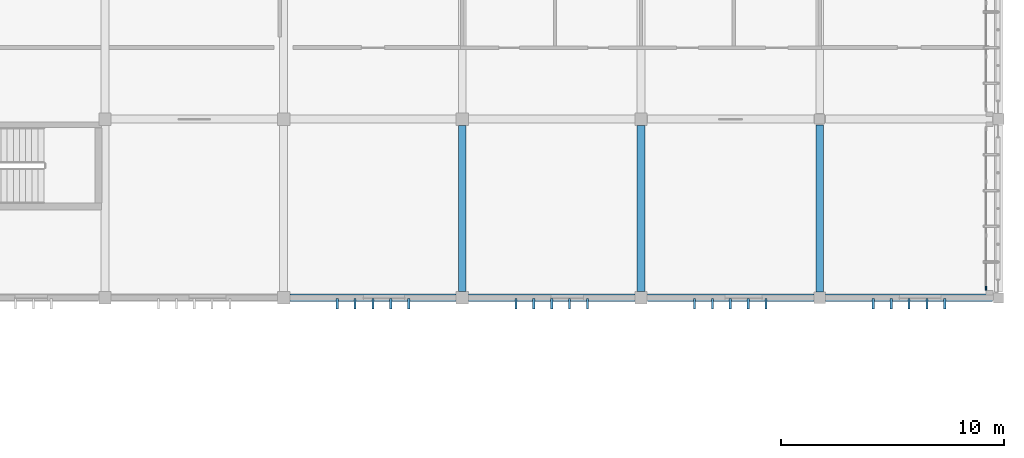
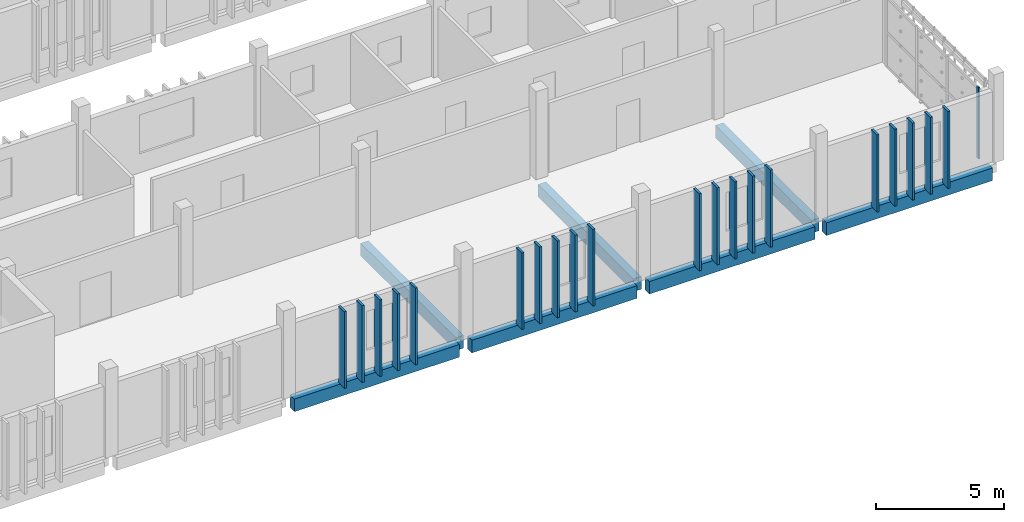
# One storey, part 19 of 48: 21 members, 7 beams, 1 element without a shape of its own.
"""IFC4 building model written with IfcOpenShell, lengths in metres."""

from ifc_helpers import new_model, si_unit, direction, frame, origin, origin_2d, place, context, subcontext, project, spatial, rectangle, extrude, material, layer, layer_set, material_profile, profile_set, type_object, element, aggregate, save


model = new_model("IFC4")

# Units and contexts
model_context = context("Model", 3, precision=1e-05, world=origin(), true_north=direction((0.0, 1.0)))
body_context = subcontext(model_context, "Body", "Model", "MODEL_VIEW")
ifc_project = project(units=[si_unit("LENGTHUNIT", "METRE"), si_unit("AREAUNIT", "SQUARE_METRE"), si_unit("VOLUMEUNIT", "CUBIC_METRE"), si_unit("PLANEANGLEUNIT", "RADIAN"), si_unit("MASSUNIT", "GRAM", prefix="KILO")], contexts=[model_context])

# Site, building, storey
site_placement = place(None, origin())
site = spatial("IfcSite", under=ifc_project, at=site_placement, CompositionType="ELEMENT")
building_placement = place(site_placement, origin())
building = spatial("IfcBuilding", under=site, at=building_placement, Name="Jelvoka-Kovrelna Polytechnic", CompositionType="ELEMENT")
storey_placement = place(building_placement, frame((0.0, 0.0, 22.199951171875)))
storey = spatial("IfcBuildingStorey", under=building, at=storey_placement, Name="L06", CompositionType="ELEMENT", Elevation=22.199951171875)

# Beams
ifc_material_1 = material(Name="Concrete C35/45", Category="concrete")
ifc_material_profile_1 = material_profile(ifc_material_1, rectangle(XDim=0.35009765625, YDim=0.60009765625, at=origin_2d()), Name="RC 350x600")
ifc_profile_set_1 = profile_set([ifc_material_profile_1], Name="Concrete C35/45")
beam_type_1 = type_object("IfcBeamType", Name="Beam_RC_350x600", PredefinedType="BEAM", material=ifc_profile_set_1)
for number, where, z_axis, x_axis, name in (
    (1, (176.0, 32.280029296875, -0.5400390625), (0.0, 1.0, 0.0), (-1.0, 0.0, 0.0), "L06 beam 1690"),
    (2, (184.0, 32.280029296875, -0.5400390625), (0.0, 1.0, 0.0), (-1.0, 0.0, 0.0), "L06 beam 1692"),
):
    element("IfcBeam", number, at=place(storey_placement, frame(where, z_axis=z_axis, x_axis=x_axis)), inside=storey, type_object=beam_type_1, Name=name, PredefinedType="BEAM", context=body_context, shape_type="SweptSolid", body=[
        extrude(rectangle(XDim=0.35009765625, YDim=0.60009765625, at=origin_2d()), origin(), (0.0, 0.0, 1.0), 7.43994140625),
    ])
beam_1_placement = place(storey_placement, frame((192.0, 32.2548828125, -0.5400390625), z_axis=(0.0, 1.0, 0.0), x_axis=(-1.0, 0.0, 0.0)))
element("IfcBeam", 3, at=beam_1_placement, inside=storey, type_object=beam_type_1, Name="L06 beam 1694", PredefinedType="BEAM", context=body_context, shape_type="SweptSolid", body=[
    extrude(rectangle(XDim=0.35009765625, YDim=0.60009765625, at=origin_2d()), origin(), (0.0, 0.0, 1.0), 7.490234375),
])

# Members
ifc_material_2 = material(Name="Precast concrete C40/50", Category="concrete")
ifc_material_profile_2 = material_profile(ifc_material_2, rectangle(XDim=0.10009765625, YDim=0.449951171875, at=origin_2d()), Name="PC 100x450")
ifc_profile_set_2 = profile_set([ifc_material_profile_2], Name="Precast concrete C40/50")
member_type_1 = type_object("IfcMemberType", Name="Louvre_Fin_100x450", PredefinedType="USERDEFINED", material=ifc_profile_set_2)
for number, where, z_axis, x_axis, name in (
    (4, (170.39990234375, 31.735107421875, -0.27001953125), (0.0, 0.0, 1.0), (1.0, 0.0, 0.0), "L06 B2E south vertical solar louvre fin 1121"),
    (5, (171.199951171875, 31.735107421875, -0.27001953125), (0.0, 0.0, 1.0), (1.0, 0.0, 0.0), "L06 B2E south vertical solar louvre fin 1122"),
    (6, (172.0, 31.735107421875, -0.27001953125), (0.0, 0.0, 1.0), (1.0, 0.0, 0.0), "L06 B2E south vertical solar louvre fin 1123"),
    (7, (172.800048828125, 31.735107421875, -0.27001953125), (0.0, 0.0, 1.0), (1.0, 0.0, 0.0), "L06 B2E south vertical solar louvre fin 1124"),
    (8, (173.60009765625, 31.735107421875, -0.27001953125), (0.0, 0.0, 1.0), (1.0, 0.0, 0.0), "L06 B2E south vertical solar louvre fin 1125"),
    (9, (178.39990234375, 31.735107421875, -0.27001953125), (0.0, 0.0, 1.0), (1.0, 0.0, 0.0), "L06 B2E south vertical solar louvre fin 1131"),
    (10, (179.199951171875, 31.735107421875, -0.27001953125), (0.0, 0.0, 1.0), (1.0, 0.0, 0.0), "L06 B2E south vertical solar louvre fin 1132"),
    (11, (180.0, 31.735107421875, -0.27001953125), (0.0, 0.0, 1.0), (1.0, 0.0, 0.0), "L06 B2E south vertical solar louvre fin 1133"),
    (12, (180.800048828125, 31.735107421875, -0.27001953125), (0.0, 0.0, 1.0), (1.0, 0.0, 0.0), "L06 B2E south vertical solar louvre fin 1134"),
    (13, (181.60009765625, 31.735107421875, -0.27001953125), (0.0, 0.0, 1.0), (1.0, 0.0, 0.0), "L06 B2E south vertical solar louvre fin 1135"),
):
    element("IfcMember", number, at=place(storey_placement, frame(where, z_axis=z_axis, x_axis=x_axis)), inside=storey, type_object=member_type_1, Name=name, ObjectType="SUNSHADE", PredefinedType="USERDEFINED", context=body_context, shape_type="SweptSolid", body=[
        extrude(rectangle(XDim=0.10009765625, YDim=0.449951171875, at=origin_2d()), origin(), (0.0, 0.0, 1.0), 3.655029296875),
    ])
for number, where, z_axis, x_axis, name in (
    (14, (186.39990234375, 31.735107421875, -0.27001953125), (0.0, 0.0, 1.0), (1.0, 0.0, 0.0), "L06 B2E south vertical solar louvre fin 1136"),
    (15, (187.199951171875, 31.735107421875, -0.27001953125), (0.0, 0.0, 1.0), (1.0, 0.0, 0.0), "L06 B2E south vertical solar louvre fin 1137"),
    (16, (188.0, 31.735107421875, -0.27001953125), (0.0, 0.0, 1.0), (1.0, 0.0, 0.0), "L06 B2E south vertical solar louvre fin 1138"),
    (17, (188.800048828125, 31.735107421875, -0.27001953125), (0.0, 0.0, 1.0), (1.0, 0.0, 0.0), "L06 B2E south vertical solar louvre fin 1139"),
    (18, (189.60009765625, 31.735107421875, -0.27001953125), (0.0, 0.0, 1.0), (1.0, 0.0, 0.0), "L06 B2E south vertical solar louvre fin 1140"),
    (19, (194.39990234375, 31.735107421875, -0.27001953125), (0.0, 0.0, 1.0), (1.0, 0.0, 0.0), "L06 B2E south vertical solar louvre fin 1141"),
    (20, (195.199951171875, 31.735107421875, -0.27001953125), (0.0, 0.0, 1.0), (1.0, 0.0, 0.0), "L06 B2E south vertical solar louvre fin 1142"),
    (21, (196.0, 31.735107421875, -0.27001953125), (0.0, 0.0, 1.0), (1.0, 0.0, 0.0), "L06 B2E south vertical solar louvre fin 1143"),
    (22, (196.800048828125, 31.735107421875, -0.27001953125), (0.0, 0.0, 1.0), (1.0, 0.0, 0.0), "L06 B2E south vertical solar louvre fin 1144"),
    (23, (197.60009765625, 31.735107421875, -0.27001953125), (0.0, 0.0, 1.0), (1.0, 0.0, 0.0), "L06 B2E south vertical solar louvre fin 1145"),
):
    element("IfcMember", number, at=place(storey_placement, frame(where, z_axis=z_axis, x_axis=x_axis)), inside=storey, type_object=member_type_1, Name=name, ObjectType="SUNSHADE", PredefinedType="USERDEFINED", context=body_context, shape_type="SweptSolid", body=[
        extrude(rectangle(XDim=0.10009765625, YDim=0.449951171875, at=origin_2d()), origin(), (0.0, 0.0, 1.0), 3.670166015625),
    ])

# Curtain wall, member
ifc_material_3 = material(Name="Anodised aluminium 6063-T6", Category="aluminium")
ifc_layer = layer(ifc_material_3, 0.159912109375)
ifc_layer_set = layer_set([ifc_layer], Name="Anodised aluminium 6063-T6")
curtain_wall_type = type_object("IfcCurtainWallType", Name="CW_Recessed_A", PredefinedType="NOTDEFINED", material=ifc_layer_set)
curtain_wall_placement = place(storey_placement, origin())
curtain_wall = element("IfcCurtainWall", 24, at=curtain_wall_placement, inside=storey, type_object=curtain_wall_type, Name="L06 glazed curtain wall 076", PredefinedType="NOTDEFINED")
ifc_material_4 = material(Name="Anodised aluminium 6063-T6", Category="aluminium")
ifc_material_profile_3 = material_profile(ifc_material_4, rectangle(XDim=0.06005859375, YDim=0.159912109375, at=origin_2d()), Name="ALU 60x160")
ifc_profile_set_3 = profile_set([ifc_material_profile_3], Name="Anodised aluminium 6063-T6")
member_type_2 = type_object("IfcMemberType", Name="Mullion_M-01", PredefinedType="MULLION", material=ifc_profile_set_3)
member_placement = place(storey_placement, frame((199.43994140625, 32.429931640625, -0.02490234375), z_axis=(0.0, 0.0, 1.0), x_axis=(1.0, 0.0, 0.0)))
member = element("IfcMember", 25, at=member_placement, type_object=member_type_2, Name="CW-01 mullion 4", PredefinedType="MULLION", context=body_context, shape_type="SweptSolid", body=[
    extrude(rectangle(XDim=0.06005859375, YDim=0.159912109375, at=origin_2d()), origin(), (0.0, 0.0, 1.0), 3.400146484375),
])
aggregate(curtain_wall, [member])

# Beams
ifc_material_5 = material(Name="Concrete C40/50", Category="concrete")
ifc_material_profile_4 = material_profile(ifc_material_5, rectangle(XDim=0.35009765625, YDim=0.60009765625, at=origin_2d()), Name="RC 350x600")
ifc_profile_set_4 = profile_set([ifc_material_profile_4], Name="Concrete C40/50")
beam_type_2 = type_object("IfcBeamType", Name="Spandrel_RC_350x600", PredefinedType="SPANDREL", material=ifc_profile_set_4)
for number, where, z_axis, x_axis, name in (
    (26, (168.280029296875, 32.0, -0.5400390625), (1.0, 0.0, 0.0), (0.0, 1.0, 0.0), "L06 beam 1657"),
    (27, (176.280029296875, 32.0, -0.5400390625), (1.0, 0.0, 0.0), (0.0, 1.0, 0.0), "L06 beam 1658"),
):
    element("IfcBeam", number, at=place(storey_placement, frame(where, z_axis=z_axis, x_axis=x_axis)), inside=storey, type_object=beam_type_2, Name=name, PredefinedType="SPANDREL", context=body_context, shape_type="SweptSolid", body=[
        extrude(rectangle(XDim=0.35009765625, YDim=0.60009765625, at=origin_2d()), origin(), (0.0, 0.0, 1.0), 7.43994140625),
    ])
beam_2_placement = place(storey_placement, frame((184.280029296875, 32.0, -0.5400390625), z_axis=(1.0, 0.0, 0.0), x_axis=(0.0, 1.0, 0.0)))
element("IfcBeam", 28, at=beam_2_placement, inside=storey, type_object=beam_type_2, Name="L06 beam 1659", PredefinedType="SPANDREL", context=body_context, shape_type="SweptSolid", body=[
    extrude(rectangle(XDim=0.35009765625, YDim=0.60009765625, at=origin_2d()), origin(), (0.0, 0.0, 1.0), 7.465087890625),
])
beam_3_placement = place(storey_placement, frame((192.2548828125, 32.0, -0.5400390625), z_axis=(1.0, 0.0, 0.0), x_axis=(0.0, 1.0, 0.0)))
element("IfcBeam", 29, at=beam_3_placement, inside=storey, type_object=beam_type_2, Name="L06 beam 1660", PredefinedType="SPANDREL", context=body_context, shape_type="SweptSolid", body=[
    extrude(rectangle(XDim=0.35009765625, YDim=0.60009765625, at=origin_2d()), origin(), (0.0, 0.0, 1.0), 7.490234375),
])

save(model, "model.ifc")
